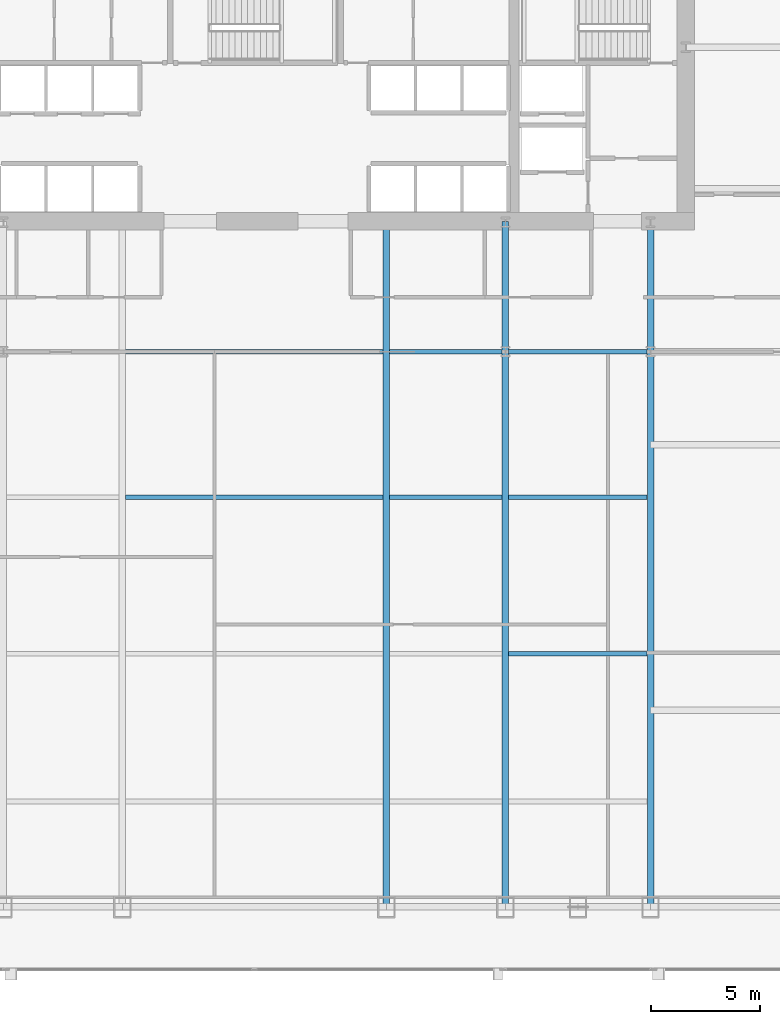
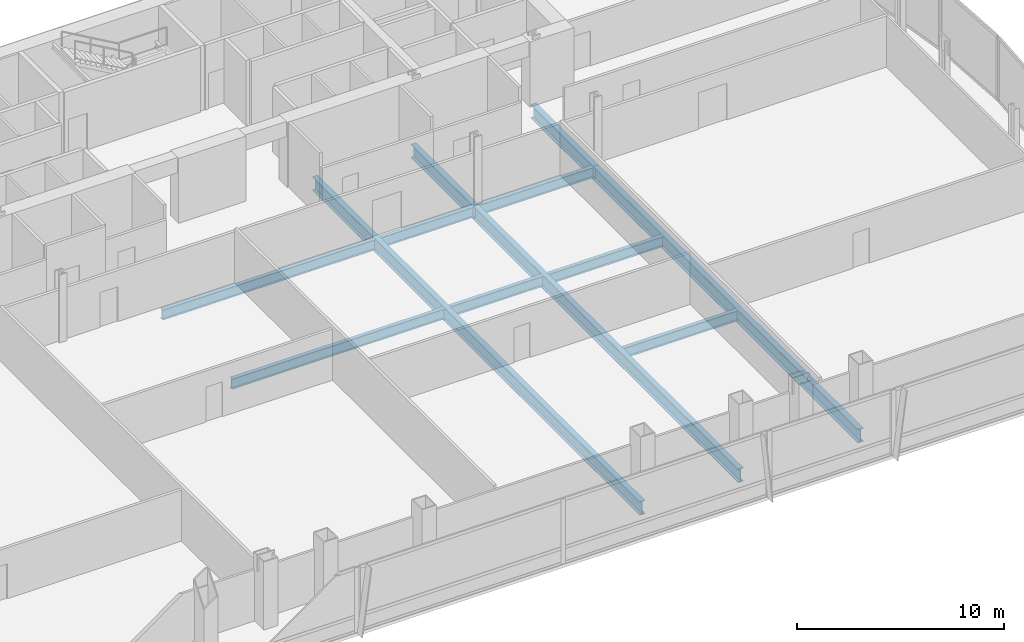
# One storey, part 15 of 36: 12 beams.
"""IFC4 building model written with IfcOpenShell, lengths in metres."""

from ifc_helpers import new_model, si_unit, direction, frame, origin, origin_2d, place, context, subcontext, project, spatial, i_section, extrude, material, material_profile, profile_set, type_object, element, save


model = new_model("IFC4")

# Units and contexts
model_context = context("Model", 3, precision=1e-05, world=origin(), true_north=direction((0.0, 1.0)))
body_context = subcontext(model_context, "Body", "Model", "MODEL_VIEW")
ifc_project = project(units=[si_unit("LENGTHUNIT", "METRE"), si_unit("AREAUNIT", "SQUARE_METRE"), si_unit("VOLUMEUNIT", "CUBIC_METRE"), si_unit("PLANEANGLEUNIT", "RADIAN"), si_unit("MASSUNIT", "GRAM", prefix="KILO")], contexts=[model_context])

# Site, building, storey
site_placement = place(None, origin())
site = spatial("IfcSite", under=ifc_project, at=site_placement, CompositionType="ELEMENT")
building_placement = place(site_placement, origin())
building = spatial("IfcBuilding", under=site, at=building_placement, Name="Khoronbel Lancet Exchange", CompositionType="ELEMENT")
storey_placement = place(building_placement, frame((0.0, 0.0, 57.800048828125)))
storey = spatial("IfcBuildingStorey", under=building, at=storey_placement, Name="L13", CompositionType="ELEMENT", Elevation=57.800048828125)

# Beams
ifc_material = material(Name="Steel S355", Category="steel")
ifc_material_profile_1 = material_profile(ifc_material, i_section(OverallWidth=0.300048828125, OverallDepth=0.800048828125, WebThickness=0.017578125, FlangeThickness=0.032958984375, at=origin_2d()), Name="HEB 800")
ifc_profile_set_1 = profile_set([ifc_material_profile_1], Name="Steel S355")
beam_type_1 = type_object("IfcBeamType", Name="BM-BG2", PredefinedType="BEAM", material=ifc_profile_set_1)
beam_1_placement = place(storey_placement, frame((42.52490234375, 10.14990234375, -0.580078125), z_axis=(0.0, 1.0, 0.0), x_axis=(-1.0, 0.0, 0.0)))
element("IfcBeam", 1, at=beam_1_placement, inside=storey, type_object=beam_type_1, Name="Level L13 primary floor girder G4", PredefinedType="BEAM", context=body_context, shape_type="SweptSolid", body=[
    extrude(i_section(OverallWidth=0.300048828125, OverallDepth=0.800048828125, WebThickness=0.017578125, FlangeThickness=0.032958984375, at=origin_2d()), origin(), (0.0, 0.0, 1.0), 31.550048828125),
])
beam_2_placement = place(storey_placement, frame((48.0, 10.14990234375, -0.580078125), z_axis=(0.0, 1.0, 0.0), x_axis=(-1.0, 0.0, 0.0)))
element("IfcBeam", 2, at=beam_2_placement, inside=storey, type_object=beam_type_1, Name="Level L13 south primary girder GS5", PredefinedType="BEAM", context=body_context, shape_type="SweptSolid", body=[
    extrude(i_section(OverallWidth=0.300048828125, OverallDepth=0.800048828125, WebThickness=0.017578125, FlangeThickness=0.032958984375, at=origin_2d()), origin(), (0.0, 0.0, 1.0), 25.550048828125),
])
beam_3_placement = place(storey_placement, frame((48.0, 35.699951171875, -0.580078125), z_axis=(0.0, 1.0, 0.0), x_axis=(-1.0, 0.0, 0.0)))
element("IfcBeam", 3, at=beam_3_placement, inside=storey, type_object=beam_type_1, Name="Level L13 spine tie girder GN5", PredefinedType="BEAM", context=body_context, shape_type="SweptSolid", body=[
    extrude(i_section(OverallWidth=0.300048828125, OverallDepth=0.800048828125, WebThickness=0.017578125, FlangeThickness=0.032958984375, at=origin_2d()), origin(), (0.0, 0.0, 1.0), 6.0),
])
beam_4_placement = place(storey_placement, frame((54.675048828125, 10.14990234375, -0.580078125), z_axis=(0.0, 1.0, 0.0), x_axis=(-1.0, 0.0, 0.0)))
element("IfcBeam", 4, at=beam_4_placement, inside=storey, type_object=beam_type_1, Name="Level L13 south primary girder GS6", PredefinedType="BEAM", context=body_context, shape_type="SweptSolid", body=[
    extrude(i_section(OverallWidth=0.300048828125, OverallDepth=0.800048828125, WebThickness=0.017578125, FlangeThickness=0.032958984375, at=origin_2d()), origin(), (0.0, 0.0, 1.0), 25.550048828125),
])
beam_5_placement = place(storey_placement, frame((54.675048828125, 35.699951171875, -0.580078125), z_axis=(0.0, 1.0, 0.0), x_axis=(-1.0, 0.0, 0.0)))
element("IfcBeam", 5, at=beam_5_placement, inside=storey, type_object=beam_type_1, Name="Level L13 spine tie girder GN6", PredefinedType="BEAM", context=body_context, shape_type="SweptSolid", body=[
    extrude(i_section(OverallWidth=0.300048828125, OverallDepth=0.800048828125, WebThickness=0.017578125, FlangeThickness=0.032958984375, at=origin_2d()), origin(), (0.0, 0.0, 1.0), 6.0),
])
ifc_material_profile_2 = material_profile(ifc_material, i_section(OverallWidth=0.219970703125, OverallDepth=0.60009765625, WebThickness=0.011962890625, FlangeThickness=0.01904296875, at=origin_2d()), Name="IPE 600")
ifc_profile_set_2 = profile_set([ifc_material_profile_2], Name="Steel S355")
beam_type_2 = type_object("IfcBeamType", Name="BM-BJ1", PredefinedType="JOIST", material=ifc_profile_set_2)
beam_6_placement = place(storey_placement, frame((48.14990234375, 21.800048828125, -0.47998046875), z_axis=(1.0, 0.0, 0.0), x_axis=(0.0, 1.0, 0.0)))
element("IfcBeam", 6, at=beam_6_placement, inside=storey, type_object=beam_type_2, Name="Level L13 secondary composite joist J10", PredefinedType="JOIST", context=body_context, shape_type="SweptSolid", body=[
    extrude(i_section(OverallWidth=0.219970703125, OverallDepth=0.60009765625, WebThickness=0.011962890625, FlangeThickness=0.01904296875, at=origin_2d()), origin(), (0.0, 0.0, 1.0), 6.375),
])
beam_7_placement = place(storey_placement, frame((30.52490234375, 29.0, -0.47998046875), z_axis=(1.0, 0.0, 0.0), x_axis=(0.0, 1.0, 0.0)))
element("IfcBeam", 7, at=beam_7_placement, inside=storey, type_object=beam_type_2, Name="Level L13 secondary composite joist J13", PredefinedType="JOIST", context=body_context, shape_type="SweptSolid", body=[
    extrude(i_section(OverallWidth=0.219970703125, OverallDepth=0.60009765625, WebThickness=0.011962890625, FlangeThickness=0.01904296875, at=origin_2d()), origin(), (0.0, 0.0, 1.0), 11.85009765625),
])
beam_8_placement = place(storey_placement, frame((42.675048828125, 29.0, -0.47998046875), z_axis=(1.0, 0.0, 0.0), x_axis=(0.0, 1.0, 0.0)))
element("IfcBeam", 8, at=beam_8_placement, inside=storey, type_object=beam_type_2, Name="Level L13 secondary composite joist J14", PredefinedType="JOIST", context=body_context, shape_type="SweptSolid", body=[
    extrude(i_section(OverallWidth=0.219970703125, OverallDepth=0.60009765625, WebThickness=0.011962890625, FlangeThickness=0.01904296875, at=origin_2d()), origin(), (0.0, 0.0, 1.0), 5.175048828125),
])
beam_9_placement = place(storey_placement, frame((48.14990234375, 29.0, -0.47998046875), z_axis=(1.0, 0.0, 0.0), x_axis=(0.0, 1.0, 0.0)))
element("IfcBeam", 9, at=beam_9_placement, inside=storey, type_object=beam_type_2, Name="Level L13 secondary composite joist J15", PredefinedType="JOIST", context=body_context, shape_type="SweptSolid", body=[
    extrude(i_section(OverallWidth=0.219970703125, OverallDepth=0.60009765625, WebThickness=0.011962890625, FlangeThickness=0.01904296875, at=origin_2d()), origin(), (0.0, 0.0, 1.0), 6.375),
])
beam_10_placement = place(storey_placement, frame((30.52490234375, 35.699951171875, -0.47998046875), z_axis=(1.0, 0.0, 0.0), x_axis=(0.0, 1.0, 0.0)))
element("IfcBeam", 10, at=beam_10_placement, inside=storey, type_object=beam_type_2, Name="Level L13 secondary composite joist J18", PredefinedType="JOIST", context=body_context, shape_type="SweptSolid", body=[
    extrude(i_section(OverallWidth=0.219970703125, OverallDepth=0.60009765625, WebThickness=0.011962890625, FlangeThickness=0.01904296875, at=origin_2d()), origin(), (0.0, 0.0, 1.0), 11.85009765625),
])
beam_11_placement = place(storey_placement, frame((42.675048828125, 35.699951171875, -0.47998046875), z_axis=(1.0, 0.0, 0.0), x_axis=(0.0, 1.0, 0.0)))
element("IfcBeam", 11, at=beam_11_placement, inside=storey, type_object=beam_type_2, Name="Level L13 secondary composite joist J19", PredefinedType="JOIST", context=body_context, shape_type="SweptSolid", body=[
    extrude(i_section(OverallWidth=0.219970703125, OverallDepth=0.60009765625, WebThickness=0.011962890625, FlangeThickness=0.01904296875, at=origin_2d()), origin(), (0.0, 0.0, 1.0), 5.175048828125),
])
beam_12_placement = place(storey_placement, frame((48.14990234375, 35.699951171875, -0.47998046875), z_axis=(1.0, 0.0, 0.0), x_axis=(0.0, 1.0, 0.0)))
element("IfcBeam", 12, at=beam_12_placement, inside=storey, type_object=beam_type_2, Name="Level L13 secondary composite joist J20", PredefinedType="JOIST", context=body_context, shape_type="SweptSolid", body=[
    extrude(i_section(OverallWidth=0.219970703125, OverallDepth=0.60009765625, WebThickness=0.011962890625, FlangeThickness=0.01904296875, at=origin_2d()), origin(), (0.0, 0.0, 1.0), 6.375),
])

save(model, "model.ifc")
